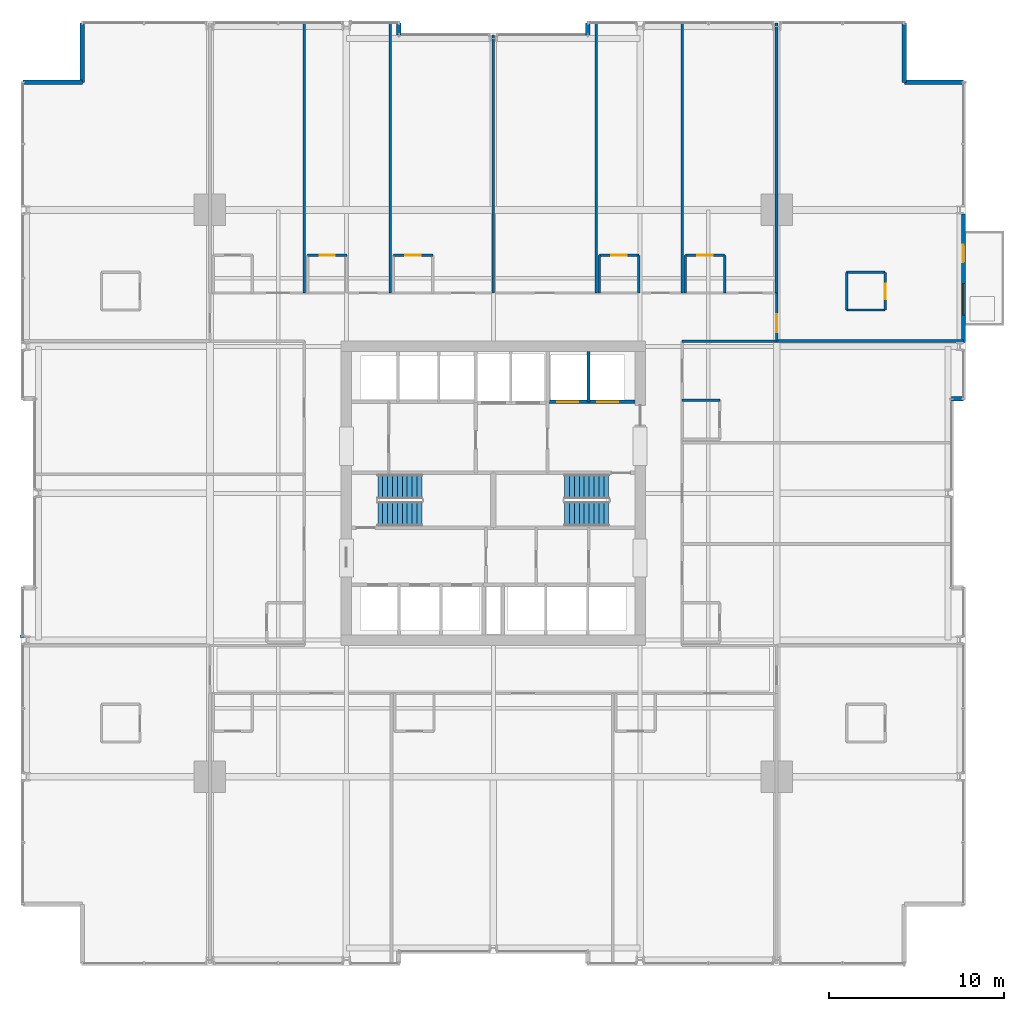
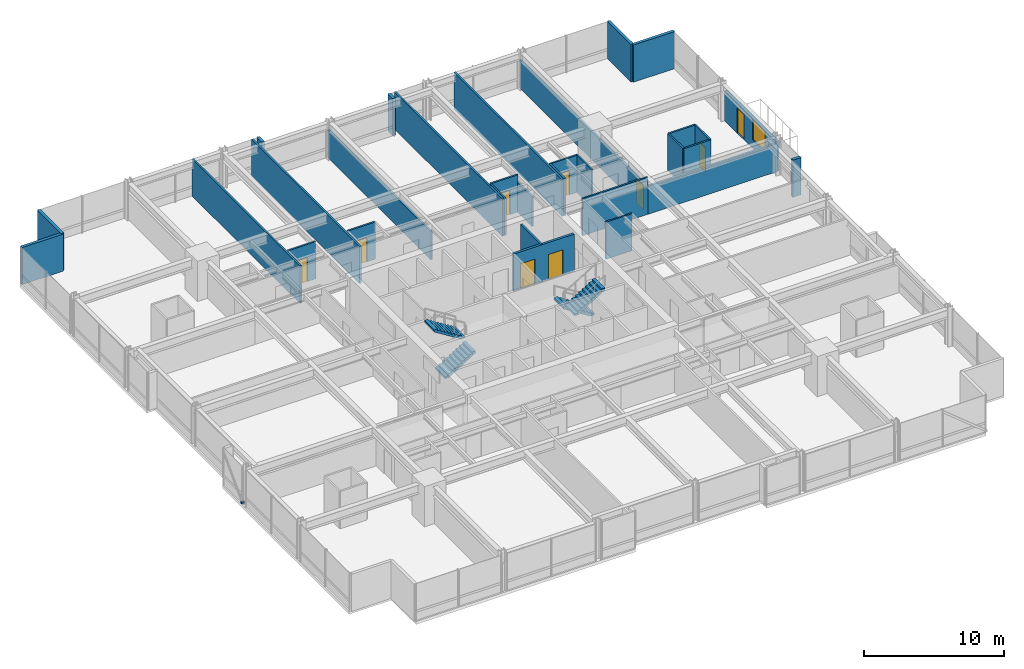
# One storey, part 33 of 38: 32 walls, 9 doors, 4 stair flights, 1 discrete accessory, 1 window, 10 openings, 2 elements without a shape of their own.
"""IFC4 building model written with IfcOpenShell, lengths in metres."""

from ifc_helpers import new_model, si_unit, direction, frame, frame_2d, origin, origin_2d, place, context, subcontext, project, spatial, polyline, rectangle, outline, extrude, material, layer, layer_set, type_object, element, fill, aggregate, save


model = new_model("IFC4")

# Units and contexts
model_context = context("Model", 3, precision=1e-05, world=origin(), true_north=direction((0.0, 1.0)))
body_context = subcontext(model_context, "Body", "Model", "MODEL_VIEW")
ifc_project = project(units=[si_unit("LENGTHUNIT", "METRE"), si_unit("AREAUNIT", "SQUARE_METRE"), si_unit("VOLUMEUNIT", "CUBIC_METRE"), si_unit("PLANEANGLEUNIT", "RADIAN"), si_unit("MASSUNIT", "GRAM", prefix="KILO")], contexts=[model_context])

# Site, building, storey
site_placement = place(None, origin())
site = spatial("IfcSite", under=ifc_project, at=site_placement, CompositionType="ELEMENT")
building_placement = place(site_placement, origin())
building = spatial("IfcBuilding", under=site, at=building_placement, Name="Drelvath Grand Hotel", CompositionType="ELEMENT")
storey_placement = place(building_placement, frame((0.0, 0.0, 68.199951171875)))
storey = spatial("IfcBuildingStorey", under=building, at=storey_placement, Name="L16", CompositionType="ELEMENT", Elevation=68.199951171875)

# Wall, openings, doors
ifc_material_1 = material(Name="Concrete C40/50", Category="concrete")
ifc_layer_1 = layer(ifc_material_1, 0.199951171875)
ifc_layer_set_1 = layer_set([ifc_layer_1], Name="Concrete C40/50")
wall_type_1 = type_object("IfcWallType", Name="Core Hoistway Fire Wall 200", PredefinedType="SOLIDWALL", material=ifc_layer_set_1)
wall_1_placement = place(storey_placement, frame((3.10009765625, 32.219970703125, 0.0), z_axis=(0.0, 0.0, 1.0), x_axis=(1.0, 0.0, 0.0)))
wall_1 = element("IfcWall", 1, at=wall_1_placement, inside=storey, type_object=wall_type_1, Name="L16 FSAE Hoistway Front Wall", PredefinedType="SOLIDWALL", context=body_context, shape_type="SweptSolid", body=[
    extrude(rectangle(XDim=5.0, YDim=0.199951171875, at=frame_2d((2.5, 0.0))), origin(), (0.0, 0.0, 1.0), 3.239990234375),
])
opening_1_placement = place(wall_1_placement, frame((0.550048828125, 0.0, 0.0)))
opening_1 = element("IfcOpeningElement", 2, at=opening_1_placement, cuts=wall_1, Name="Opening LD-FSAE-1", PredefinedType="OPENING", context=body_context, shape_type="SweptSolid", body=[
    extrude(rectangle(XDim=1.199951171875, YDim=2.199951171875, at=frame_2d((0.60009765625, 1.10009765625))), frame((0.0, 0.10986328125, 0.0), z_axis=(0.0, -1.0, 0.0), x_axis=(1.0, 0.0, 0.0)), (0.0, 0.0, 1.0), 0.219970703125),
])
opening_2_placement = place(wall_1_placement, frame((2.85009765625, 0.0, 0.0)))
opening_2 = element("IfcOpeningElement", 3, at=opening_2_placement, cuts=wall_1, Name="Opening LD-FSAE-2", PredefinedType="OPENING", context=body_context, shape_type="SweptSolid", body=[
    extrude(rectangle(XDim=1.199951171875, YDim=2.199951171875, at=frame_2d((0.60009765625, 1.10009765625))), frame((0.0, 0.10986328125, 0.0), z_axis=(0.0, -1.0, 0.0), x_axis=(1.0, 0.0, 0.0)), (0.0, 0.0, 1.0), 0.219970703125),
])
ifc_material_2 = material(Name="Stainless Steel S355", Category="steel")
door_type_1 = type_object("IfcDoorType", Name="FSAE Lift Sliding Landing Door 1200x2200", OperationType="NOTDEFINED", PredefinedType="DOOR", material=ifc_material_2)
door_1_placement = place(opening_1_placement, origin())
door_1 = element("IfcDoor", 4, at=door_1_placement, inside=storey, type_object=door_type_1, Name="L16 Lift FSAE-1 Landing Door", OperationType="SLIDING_TO_LEFT", OverallHeight=2.199951171875, OverallWidth=1.199951171875, PredefinedType="DOOR", context=body_context, shape_type="SweptSolid", body=[
    extrude(rectangle(XDim=1.199951171875, YDim=2.199951171875, at=frame_2d((0.60009765625, 1.10009765625))), frame((0.0, 0.02490234375, 0.0), z_axis=(0.0, -1.0, 0.0), x_axis=(1.0, 0.0, 0.0)), (0.0, 0.0, 1.0), 0.050048828125),
])
fill(opening_1, door_1)
door_2_placement = place(opening_2_placement, origin())
door_2 = element("IfcDoor", 5, at=door_2_placement, inside=storey, type_object=door_type_1, Name="L16 Lift FSAE-2 Landing Door", OperationType="SLIDING_TO_LEFT", OverallHeight=2.199951171875, OverallWidth=1.199951171875, PredefinedType="DOOR", context=body_context, shape_type="SweptSolid", body=[
    extrude(rectangle(XDim=1.199951171875, YDim=2.199951171875, at=frame_2d((0.60009765625, 1.10009765625))), frame((0.0, 0.02490234375, 0.0), z_axis=(0.0, -1.0, 0.0), x_axis=(1.0, 0.0, 0.0)), (0.0, 0.0, 1.0), 0.050048828125),
])
fill(opening_2, door_2)

# Walls
ifc_material_3 = material(Name="Gypsum Fireboard Partition")
ifc_layer_2 = layer(ifc_material_3, 0.1650390625)
ifc_layer_set_2 = layer_set([ifc_layer_2], Name="Gypsum Fireboard Partition")
wall_type_2 = type_object("IfcWallType", Name="Core Shaft Partition 165", PredefinedType="PARTITIONING", material=ifc_layer_set_2)
wall_2_placement = place(storey_placement, frame((5.449951171875, 32.219970703125, 0.0), z_axis=(0.0, 0.0, 1.0), x_axis=(0.0, 1.0, 0.0)))
element("IfcWall", 6, at=wall_2_placement, inside=storey, type_object=wall_type_2, Name="L16 FSAE Hoistway Divider", PredefinedType="PARTITIONING", context=body_context, shape_type="SweptSolid", body=[
    extrude(rectangle(XDim=2.880126953125, YDim=0.1650390625, at=frame_2d((1.43994140625, 0.0))), origin(), (0.0, 0.0, 1.0), 3.239990234375),
])
ifc_layer_3 = layer(ifc_material_3, 0.135009765625)
ifc_layer_set_3 = layer_set([ifc_layer_3], Name="Gypsum Fireboard Partition")
wall_type_3 = type_object("IfcWallType", Name="Corridor Fire Barrier Wall 135", PredefinedType="PARTITIONING", material=ifc_layer_set_3)
wall_3_placement = place(storey_placement, frame((10.800048828125, 35.699951171875, 0.0), z_axis=(0.0, 0.0, 1.0), x_axis=(1.0, 0.0, 0.0)))
element("IfcWall", 7, at=wall_3_placement, inside=storey, type_object=wall_type_3, Name="L16 NE Spur Inner Wall", PredefinedType="PARTITIONING", context=body_context, shape_type="SweptSolid", body=[
    extrude(rectangle(XDim=5.39990234375, YDim=0.135009765625, at=frame_2d((2.699951171875, 0.0))), origin(), (0.0, 0.0, 1.0), 3.239990234375),
])

# Wall, opening, door
wall_4_placement = place(storey_placement, frame((16.199951171875, 35.699951171875, 0.0), z_axis=(0.0, 0.0, 1.0), x_axis=(0.0, 1.0, 0.0)))
wall_4 = element("IfcWall", 8, at=wall_4_placement, inside=storey, type_object=wall_type_3, Name="L16 North Corridor East End", PredefinedType="PARTITIONING", context=body_context, shape_type="SweptSolid", body=[
    extrude(rectangle(XDim=2.75, YDim=0.135009765625, at=frame_2d((1.375, 0.0))), origin(), (0.0, 0.0, 1.0), 2.451904296875),
])
opening_3_placement = place(wall_4_placement, frame((0.52001953125, 0.0, 0.0)))
opening_3 = element("IfcOpeningElement", 9, at=opening_3_placement, cuts=wall_4, Name="Opening D-T1G4-025", PredefinedType="OPENING", context=body_context, shape_type="SweptSolid", body=[
    extrude(rectangle(XDim=1.02001953125, YDim=2.14990234375, at=frame_2d((0.510009765625, 1.074951171875))), frame((0.0, 0.077392578125, 0.0), z_axis=(0.0, -1.0, 0.0), x_axis=(1.0, 0.0, 0.0)), (0.0, 0.0, 1.0), 0.155029296875),
])
ifc_material_4 = material(Name="Hardwood Walnut Timber", Category="wood")
door_type_2 = type_object("IfcDoorType", Name="Amenity Meeting Fire Door 1020x2150", OperationType="NOTDEFINED", PredefinedType="DOOR", material=ifc_material_4)
door_3_placement = place(opening_3_placement, origin())
door_3 = element("IfcDoor", 10, at=door_3_placement, inside=storey, type_object=door_type_2, Name="L16 Corner Suite Entry Door", OperationType="SINGLE_SWING_RIGHT", OverallHeight=2.14990234375, OverallWidth=1.02001953125, PredefinedType="DOOR", context=body_context, shape_type="SweptSolid", body=[
    extrude(rectangle(XDim=1.02001953125, YDim=2.14990234375, at=frame_2d((0.510009765625, 1.074951171875))), frame((0.0, 0.02490234375, 0.0), z_axis=(0.0, -1.0, 0.0), x_axis=(1.0, 0.0, 0.0)), (0.0, 0.0, 1.0), 0.050048828125),
])
fill(opening_3, door_3)

# Walls
ifc_material_5 = material(Name="Moisture-Resistant Gypsum Board")
ifc_layer_4 = layer(ifc_material_5, 0.139892578125)
ifc_layer_set_4 = layer_set([ifc_layer_4], Name="Moisture-Resistant Gypsum Board")
wall_type_4 = type_object("IfcWallType", Name="En-Suite Plumbing Wall 140", PredefinedType="PLUMBINGWALL", material=ifc_layer_set_4)
for number, where, z_axis, x_axis, name in (
    (11, (20.199951171875, 37.47998046875, 0.0), (0.0, 0.0, 1.0), (1.0, 0.0, 0.0), "L16 Corner En-Suite South"),
    (12, (20.199951171875, 39.6298828125, 0.0), (0.0, 0.0, 1.0), (1.0, 0.0, 0.0), "L16 Corner En-Suite North"),
):
    element("IfcWall", number, at=place(storey_placement, frame(where, z_axis=z_axis, x_axis=x_axis)), inside=storey, type_object=wall_type_4, Name=name, PredefinedType="PLUMBINGWALL", context=body_context, shape_type="SweptSolid", body=[
        extrude(rectangle(XDim=2.199951171875, YDim=0.139892578125, at=frame_2d((1.10009765625, 0.0))), origin(), (0.0, 0.0, 1.0), 3.239990234375),
    ])
wall_5_placement = place(storey_placement, frame((20.199951171875, 37.47998046875, 0.0), z_axis=(0.0, 0.0, 1.0), x_axis=(0.0, 1.0, 0.0)))
element("IfcWall", 13, at=wall_5_placement, inside=storey, type_object=wall_type_4, Name="L16 Corner En-Suite West", PredefinedType="PLUMBINGWALL", context=body_context, shape_type="SweptSolid", body=[
    extrude(rectangle(XDim=2.14990234375, YDim=0.139892578125, at=frame_2d((1.074951171875, 0.0))), origin(), (0.0, 0.0, 1.0), 3.239990234375),
])

# Wall, opening, door
wall_6_placement = place(storey_placement, frame((22.39990234375, 37.47998046875, 0.0), z_axis=(0.0, 0.0, 1.0), x_axis=(0.0, 1.0, 0.0)))
wall_6 = element("IfcWall", 14, at=wall_6_placement, inside=storey, type_object=wall_type_4, Name="L16 Corner En-Suite East", PredefinedType="PLUMBINGWALL", context=body_context, shape_type="SweptSolid", body=[
    extrude(rectangle(XDim=2.14990234375, YDim=0.139892578125, at=frame_2d((1.074951171875, 0.0))), origin(), (0.0, 0.0, 1.0), 3.239990234375),
])
opening_4_placement = place(wall_6_placement, frame((0.6201171875, 0.0, 0.0)))
opening_4 = element("IfcOpeningElement", 15, at=opening_4_placement, cuts=wall_6, Name="Opening D-T1G4-024", PredefinedType="OPENING", context=body_context, shape_type="SweptSolid", body=[
    extrude(rectangle(XDim=0.8798828125, YDim=2.10009765625, at=frame_2d((0.43994140625, 1.050048828125))), frame((0.0, 0.079833984375, 0.0), z_axis=(0.0, -1.0, 0.0), x_axis=(1.0, 0.0, 0.0)), (0.0, 0.0, 1.0), 0.159912109375),
])
door_type_3 = type_object("IfcDoorType", Name="En-Suite Bathroom Door 880x2100", OperationType="NOTDEFINED", PredefinedType="DOOR", material=ifc_material_4)
door_4_placement = place(opening_4_placement, origin())
door_4 = element("IfcDoor", 16, at=door_4_placement, inside=storey, type_object=door_type_3, Name="L16 Corner En-Suite Door", OperationType="SINGLE_SWING_LEFT", OverallHeight=2.10009765625, OverallWidth=0.8798828125, PredefinedType="DOOR", context=body_context, shape_type="SweptSolid", body=[
    extrude(rectangle(XDim=0.8798828125, YDim=2.10009765625, at=frame_2d((0.43994140625, 1.050048828125))), frame((0.0, 0.02490234375, 0.0), z_axis=(0.0, -1.0, 0.0), x_axis=(1.0, 0.0, 0.0)), (0.0, 0.0, 1.0), 0.050048828125),
])
fill(opening_4, door_4)

wall_7_placement = place(storey_placement, frame((-10.6201171875, 40.60009765625, 0.0), z_axis=(0.0, 0.0, 1.0), x_axis=(1.0, 0.0, 0.0)))
wall_7 = element("IfcWall", 17, at=wall_7_placement, inside=storey, type_object=wall_type_4, Name="L16 En-Suite Front Wall", PredefinedType="PLUMBINGWALL", context=body_context, shape_type="SweptSolid", body=[
    extrude(rectangle(XDim=2.25, YDim=0.139892578125, at=frame_2d((1.125, 0.0))), origin(), (0.0, 0.0, 1.0), 3.239990234375),
])
opening_5_placement = place(wall_7_placement, frame((0.68505859375, 0.0, 0.0)))
opening_5 = element("IfcOpeningElement", 18, at=opening_5_placement, cuts=wall_7, Name="Opening D-T1G4-034", PredefinedType="OPENING", context=body_context, shape_type="SweptSolid", body=[
    extrude(rectangle(XDim=0.8798828125, YDim=2.10009765625, at=frame_2d((0.43994140625, 1.050048828125))), frame((0.0, 0.079833984375, 0.0), z_axis=(0.0, -1.0, 0.0), x_axis=(1.0, 0.0, 0.0)), (0.0, 0.0, 1.0), 0.159912109375),
])
door_5_placement = place(opening_5_placement, origin())
door_5 = element("IfcDoor", 19, at=door_5_placement, inside=storey, type_object=door_type_3, Name="L16 En-Suite Bathroom Door", OperationType="SINGLE_SWING_LEFT", OverallHeight=2.10009765625, OverallWidth=0.8798828125, PredefinedType="DOOR", context=body_context, shape_type="SweptSolid", body=[
    extrude(rectangle(XDim=0.8798828125, YDim=2.10009765625, at=frame_2d((0.43994140625, 1.050048828125))), frame((0.0, 0.02490234375, 0.0), z_axis=(0.0, -1.0, 0.0), x_axis=(1.0, 0.0, 0.0)), (0.0, 0.0, 1.0), 0.050048828125),
])
fill(opening_5, door_5)

wall_8_placement = place(storey_placement, frame((-5.7109375, 40.60009765625, 0.0), z_axis=(0.0, 0.0, 1.0), x_axis=(1.0, 0.0, 0.0)))
wall_8 = element("IfcWall", 20, at=wall_8_placement, inside=storey, type_object=wall_type_4, Name="L16 En-Suite Front Wall", PredefinedType="PLUMBINGWALL", context=body_context, shape_type="SweptSolid", body=[
    extrude(rectangle(XDim=2.25, YDim=0.139892578125, at=frame_2d((1.125, 0.0))), origin(), (0.0, 0.0, 1.0), 3.239990234375),
])
opening_6_placement = place(wall_8_placement, frame((0.68505859375, 0.0, 0.0)))
opening_6 = element("IfcOpeningElement", 21, at=opening_6_placement, cuts=wall_8, Name="Opening D-T1G4-036", PredefinedType="OPENING", context=body_context, shape_type="SweptSolid", body=[
    extrude(rectangle(XDim=0.8798828125, YDim=2.10009765625, at=frame_2d((0.43994140625, 1.050048828125))), frame((0.0, 0.079833984375, 0.0), z_axis=(0.0, -1.0, 0.0), x_axis=(1.0, 0.0, 0.0)), (0.0, 0.0, 1.0), 0.159912109375),
])
door_6_placement = place(opening_6_placement, origin())
door_6 = element("IfcDoor", 22, at=door_6_placement, inside=storey, type_object=door_type_3, Name="L16 En-Suite Bathroom Door", OperationType="SINGLE_SWING_LEFT", OverallHeight=2.10009765625, OverallWidth=0.8798828125, PredefinedType="DOOR", context=body_context, shape_type="SweptSolid", body=[
    extrude(rectangle(XDim=0.8798828125, YDim=2.10009765625, at=frame_2d((0.43994140625, 1.050048828125))), frame((0.0, 0.02490234375, 0.0), z_axis=(0.0, -1.0, 0.0), x_axis=(1.0, 0.0, 0.0)), (0.0, 0.0, 1.0), 0.050048828125),
])
fill(opening_6, door_6)

# Walls
wall_9_placement = place(storey_placement, frame((6.07080078125, 38.449951171875, 0.0), z_axis=(0.0, 0.0, 1.0), x_axis=(0.0, 1.0, 0.0)))
element("IfcWall", 23, at=wall_9_placement, inside=storey, type_object=wall_type_4, Name="L16 En-Suite Left Wall", PredefinedType="PLUMBINGWALL", context=body_context, shape_type="SweptSolid", body=[
    extrude(rectangle(XDim=2.150146484375, YDim=0.139892578125, at=frame_2d((1.0751953125, 0.0))), origin(), (0.0, 0.0, 1.0), 3.239990234375),
])
wall_10_placement = place(storey_placement, frame((8.32080078125, 38.449951171875, 0.0), z_axis=(0.0, 0.0, 1.0), x_axis=(0.0, 1.0, 0.0)))
element("IfcWall", 24, at=wall_10_placement, inside=storey, type_object=wall_type_4, Name="L16 En-Suite Right Wall", PredefinedType="PLUMBINGWALL", context=body_context, shape_type="SweptSolid", body=[
    extrude(rectangle(XDim=2.150146484375, YDim=0.139892578125, at=frame_2d((1.0751953125, 0.0))), origin(), (0.0, 0.0, 1.0), 2.617431640625),
])

# Wall, opening, door
wall_11_placement = place(storey_placement, frame((6.07080078125, 40.60009765625, 0.0), z_axis=(0.0, 0.0, 1.0), x_axis=(1.0, 0.0, 0.0)))
wall_11 = element("IfcWall", 25, at=wall_11_placement, inside=storey, type_object=wall_type_4, Name="L16 En-Suite Front Wall", PredefinedType="PLUMBINGWALL", context=body_context, shape_type="SweptSolid", body=[
    extrude(rectangle(XDim=2.25, YDim=0.139892578125, at=frame_2d((1.125, 0.0))), origin(), (0.0, 0.0, 1.0), 3.239990234375),
])
opening_7_placement = place(wall_11_placement, frame((0.68505859375, 0.0, 0.0)))
opening_7 = element("IfcOpeningElement", 26, at=opening_7_placement, cuts=wall_11, Name="Opening D-T1G4-039", PredefinedType="OPENING", context=body_context, shape_type="SweptSolid", body=[
    extrude(rectangle(XDim=0.8798828125, YDim=2.10009765625, at=frame_2d((0.43994140625, 1.050048828125))), frame((0.0, 0.079833984375, 0.0), z_axis=(0.0, -1.0, 0.0), x_axis=(1.0, 0.0, 0.0)), (0.0, 0.0, 1.0), 0.159912109375),
])
door_7_placement = place(opening_7_placement, origin())
door_7 = element("IfcDoor", 27, at=door_7_placement, inside=storey, type_object=door_type_3, Name="L16 En-Suite Bathroom Door", OperationType="SINGLE_SWING_RIGHT", OverallHeight=2.10009765625, OverallWidth=0.8798828125, PredefinedType="DOOR", context=body_context, shape_type="SweptSolid", body=[
    extrude(rectangle(XDim=0.8798828125, YDim=2.10009765625, at=frame_2d((0.43994140625, 1.050048828125))), frame((0.0, 0.02490234375, 0.0), z_axis=(0.0, -1.0, 0.0), x_axis=(1.0, 0.0, 0.0)), (0.0, 0.0, 1.0), 0.050048828125),
])
fill(opening_7, door_7)

# Walls
for number, where, z_axis, x_axis, name in (
    (28, (10.97998046875, 38.449951171875, 0.0), (0.0, 0.0, 1.0), (0.0, 1.0, 0.0), "L16 En-Suite Left Wall"),
    (29, (13.22998046875, 38.449951171875, 0.0), (0.0, 0.0, 1.0), (0.0, 1.0, 0.0), "L16 En-Suite Right Wall"),
):
    element("IfcWall", number, at=place(storey_placement, frame(where, z_axis=z_axis, x_axis=x_axis)), inside=storey, type_object=wall_type_4, Name=name, PredefinedType="PLUMBINGWALL", context=body_context, shape_type="SweptSolid", body=[
        extrude(rectangle(XDim=2.150146484375, YDim=0.139892578125, at=frame_2d((1.0751953125, 0.0))), origin(), (0.0, 0.0, 1.0), 3.239990234375),
    ])

# Wall, opening, door
wall_12_placement = place(storey_placement, frame((10.97998046875, 40.60009765625, 0.0), z_axis=(0.0, 0.0, 1.0), x_axis=(1.0, 0.0, 0.0)))
wall_12 = element("IfcWall", 30, at=wall_12_placement, inside=storey, type_object=wall_type_4, Name="L16 En-Suite Front Wall", PredefinedType="PLUMBINGWALL", context=body_context, shape_type="SweptSolid", body=[
    extrude(rectangle(XDim=2.25, YDim=0.139892578125, at=frame_2d((1.125, 0.0))), origin(), (0.0, 0.0, 1.0), 3.239990234375),
])
opening_8_placement = place(wall_12_placement, frame((0.68505859375, 0.0, 0.0)))
opening_8 = element("IfcOpeningElement", 31, at=opening_8_placement, cuts=wall_12, Name="Opening D-T1G4-041", PredefinedType="OPENING", context=body_context, shape_type="SweptSolid", body=[
    extrude(rectangle(XDim=0.8798828125, YDim=2.10009765625, at=frame_2d((0.43994140625, 1.050048828125))), frame((0.0, 0.079833984375, 0.0), z_axis=(0.0, -1.0, 0.0), x_axis=(1.0, 0.0, 0.0)), (0.0, 0.0, 1.0), 0.159912109375),
])
door_8_placement = place(opening_8_placement, origin())
door_8 = element("IfcDoor", 32, at=door_8_placement, inside=storey, type_object=door_type_3, Name="L16 En-Suite Bathroom Door", OperationType="SINGLE_SWING_RIGHT", OverallHeight=2.10009765625, OverallWidth=0.8798828125, PredefinedType="DOOR", context=body_context, shape_type="SweptSolid", body=[
    extrude(rectangle(XDim=0.8798828125, YDim=2.10009765625, at=frame_2d((0.43994140625, 1.050048828125))), frame((0.0, 0.02490234375, 0.0), z_axis=(0.0, -1.0, 0.0), x_axis=(1.0, 0.0, 0.0)), (0.0, 0.0, 1.0), 0.050048828125),
])
fill(opening_8, door_8)

# Walls
wall_13_placement = place(storey_placement, frame((10.800048828125, 32.330078125, 0.0), z_axis=(0.0, 0.0, 1.0), x_axis=(1.0, 0.0, 0.0)))
element("IfcWall", 33, at=wall_13_placement, inside=storey, type_object=wall_type_4, Name="L16 En-Suite Right Wall", PredefinedType="PLUMBINGWALL", context=body_context, shape_type="SweptSolid", body=[
    extrude(rectangle(XDim=2.14990234375, YDim=0.139892578125, at=frame_2d((1.074951171875, 0.0))), origin(), (0.0, 0.0, 1.0), 3.239990234375),
])
ifc_material_6 = material(Name="Gypsum Acoustic Partition")
ifc_layer_5 = layer(ifc_material_6, 0.14990234375)
ifc_layer_set_5 = layer_set([ifc_layer_5], Name="Gypsum Acoustic Partition")
wall_type_5 = type_object("IfcWallType", Name="Guestroom Demising Wall 150", PredefinedType="PARTITIONING", material=ifc_layer_set_5)
for number, where, z_axis, x_axis, name in (
    (34, (-10.800048828125, 38.449951171875, 0.0), (0.0, 0.0, 1.0), (0.0, 1.0, 0.0), "L16 North Demising 1"),
    (35, (-5.890869140625, 38.449951171875, 0.0), (0.0, 0.0, 1.0), (0.0, 1.0, 0.0), "L16 North Demising 2"),
):
    element("IfcWall", number, at=place(storey_placement, frame(where, z_axis=z_axis, x_axis=x_axis)), inside=storey, type_object=wall_type_5, Name=name, PredefinedType="PARTITIONING", context=body_context, shape_type="SweptSolid", body=[
        extrude(rectangle(XDim=15.429931640625, YDim=0.14990234375, at=frame_2d((7.71484375, 0.0))), origin(), (0.0, 0.0, 1.0), 3.239990234375),
    ])
wall_14_placement = place(storey_placement, frame((0.0, 38.449951171875, 0.0), z_axis=(0.0, 0.0, 1.0), x_axis=(0.0, 1.0, 0.0)))
element("IfcWall", 36, at=wall_14_placement, inside=storey, type_object=wall_type_5, Name="L16 North Demising 3", PredefinedType="PARTITIONING", context=body_context, shape_type="SweptSolid", body=[
    extrude(rectangle(XDim=14.75, YDim=0.14990234375, at=frame_2d((7.375, 0.0))), origin(), (0.0, 0.0, 1.0), 2.451904296875),
])
for number, where, z_axis, x_axis, name in (
    (37, (5.890869140625, 38.449951171875, 0.0), (0.0, 0.0, 1.0), (0.0, 1.0, 0.0), "L16 North Demising 4"),
    (38, (10.800048828125, 38.449951171875, 0.0), (0.0, 0.0, 1.0), (0.0, 1.0, 0.0), "L16 North Demising 5"),
):
    element("IfcWall", number, at=place(storey_placement, frame(where, z_axis=z_axis, x_axis=x_axis)), inside=storey, type_object=wall_type_5, Name=name, PredefinedType="PARTITIONING", context=body_context, shape_type="SweptSolid", body=[
        extrude(rectangle(XDim=15.429931640625, YDim=0.14990234375, at=frame_2d((7.71484375, 0.0))), origin(), (0.0, 0.0, 1.0), 3.239990234375),
    ])
ifc_layer_6 = layer(ifc_material_6, 0.1650390625)
ifc_layer_set_6 = layer_set([ifc_layer_6], Name="Gypsum Acoustic Partition")
wall_type_6 = type_object("IfcWallType", Name="Suite Demising Wall 165", PredefinedType="PARTITIONING", material=ifc_layer_set_6)
wall_15_placement = place(storey_placement, frame((16.199951171875, 38.449951171875, 0.0), z_axis=(0.0, 0.0, 1.0), x_axis=(0.0, 1.0, 0.0)))
element("IfcWall", 39, at=wall_15_placement, inside=storey, type_object=wall_type_6, Name="L16 NE Wing Boundary Wall", PredefinedType="PARTITIONING", context=body_context, shape_type="SweptSolid", body=[
    extrude(rectangle(XDim=15.429931640625, YDim=0.1650390625, at=frame_2d((7.71484375, 0.0))), origin(), (0.0, 0.0, 1.0), 2.451904296875),
])
wall_16_placement = place(storey_placement, frame((16.199951171875, 35.699951171875, 0.0), z_axis=(0.0, 0.0, 1.0), x_axis=(1.0, 0.0, 0.0)))
element("IfcWall", 40, at=wall_16_placement, inside=storey, type_object=wall_type_6, Name="L16 NE Corner South Wall", PredefinedType="PARTITIONING", context=body_context, shape_type="SweptSolid", body=[
    extrude(rectangle(XDim=10.679931640625, YDim=0.1650390625, at=frame_2d((5.33984375, 0.0))), origin(), (0.0, 0.0, 1.0), 2.451904296875),
])

# Wall, openings, window, door
ifc_material_7 = material(Name="Pale-Metal Insulated Aluminium Spandrel Assembly", Category="aluminium")
ifc_layer_7 = layer(ifc_material_7, 0.239990234375)
ifc_layer_set_7 = layer_set([ifc_layer_7], Name="Pale-Metal Insulated Aluminium Spandrel Assembly")
wall_type_7 = type_object("IfcWallType", Name="Tower Insulated Metal Spandrel Closure Wall 240", PredefinedType="STANDARD", material=ifc_layer_set_7)
wall_17_placement = place(storey_placement, frame((26.8798828125, 42.970947265625, 0.0), z_axis=(0.0, 0.0, 1.0), x_axis=(0.0, -1.0, 0.0)))
wall_17 = element("IfcWall", 41, at=wall_17_placement, inside=storey, type_object=wall_type_7, Name="L16 Exterior Terrace Door Bay Wall EN2", PredefinedType="STANDARD", context=body_context, shape_type="SweptSolid", body=[
    extrude(rectangle(XDim=7.341796875, YDim=0.239990234375, at=frame_2d((3.6708984375, 0.0))), origin(), (0.0, 0.0, 1.0), 2.629150390625),
])
opening_9_placement = place(wall_17_placement, frame((1.77099609375, 0.0, 0.0)))
opening_9 = element("IfcOpeningElement", 42, at=opening_9_placement, cuts=wall_17, Name="Opening TD-1000", PredefinedType="OPENING", context=body_context, shape_type="SweptSolid", body=[
    extrude(rectangle(XDim=1.0, YDim=2.199951171875, at=frame_2d((0.5, 1.10009765625))), frame((0.0, 0.1298828125, 0.0), z_axis=(0.0, -1.0, 0.0), x_axis=(1.0, 0.0, 0.0)), (0.0, 0.0, 1.0), 0.260009765625),
])
opening_10_placement = place(wall_17_placement, frame((3.98291015625, 0.0, 0.75)))
opening_10 = element("IfcOpeningElement", 43, at=opening_10_placement, cuts=wall_17, Name="Opening W-02", PredefinedType="OPENING", context=body_context, shape_type="SweptSolid", body=[
    extrude(rectangle(XDim=1.800048828125, YDim=1.779052734375, at=frame_2d((0.89990234375, 0.8896484375))), frame((0.0, 0.1298828125, 0.0), z_axis=(0.0, -1.0, 0.0), x_axis=(1.0, 0.0, 0.0)), (0.0, 0.0, 1.0), 0.260009765625),
])
ifc_material_8 = material(Name="Bronze Anodised Low-E Triple Glazing", Category="glass")
window_type = type_object("IfcWindowType", Name="Chicago Double-Pane Podium Window 1800x2400", PartitioningType="DOUBLE_PANEL_VERTICAL", PredefinedType="WINDOW", material=ifc_material_8)
window_placement = place(opening_10_placement, origin())
window = element("IfcWindow", 44, at=window_placement, inside=storey, type_object=window_type, Name="L16 Terrace Bay Companion Window EN2", OverallHeight=1.779052734375, OverallWidth=1.800048828125, PartitioningType="SINGLE_PANEL", PredefinedType="WINDOW", context=body_context, shape_type="SweptSolid", body=[
    extrude(rectangle(XDim=1.800048828125, YDim=1.779052734375, at=frame_2d((0.89990234375, 0.8896484375))), frame((0.0, 0.030029296875, 0.0), z_axis=(0.0, -1.0, 0.0), x_axis=(1.0, 0.0, 0.0)), (0.0, 0.0, 1.0), 0.06005859375),
])
fill(opening_10, window)
ifc_material_9 = material(Name="Anodised Aluminium Thermally Broken Glazed Door", Category="aluminium")
door_type_4 = type_object("IfcDoorType", Name="Terrace and Tree Balcony Glazed Door 1000x2200", OperationType="NOTDEFINED", PredefinedType="DOOR", material=ifc_material_9)
door_9_placement = place(opening_9_placement, origin())
door_9 = element("IfcDoor", 45, at=door_9_placement, inside=storey, type_object=door_type_4, Name="L16 Tree Balcony Door DOOR-L16-TBAL-1", OperationType="SINGLE_SWING_LEFT", OverallHeight=2.199951171875, OverallWidth=1.0, PredefinedType="DOOR", context=body_context, shape_type="SweptSolid", body=[
    extrude(rectangle(XDim=1.0, YDim=2.199951171875, at=frame_2d((0.5, 1.10009765625))), frame((0.0, 0.02490234375, 0.0), z_axis=(0.0, -1.0, 0.0), x_axis=(1.0, 0.0, 0.0)), (0.0, 0.0, 1.0), 0.050048828125),
])
fill(opening_9, door_9)

# Walls
for number, where, z_axis, x_axis, name in (
    (46, (-26.8798828125, 50.5, 0.0), (0.0, 0.0, 1.0), (1.0, 0.0, 0.0), "L16 Notched Corner Return Spandrel Wall CNW1"),
    (47, (-23.5, 50.5, 0.0), (0.0, 0.0, 1.0), (0.0, 1.0, 0.0), "L16 Notched Corner Return Spandrel Wall CNW2"),
    (48, (23.5, 53.8798828125, 0.0), (0.0, 0.0, 1.0), (0.0, -1.0, 0.0), "L16 Notched Corner Return Spandrel Wall CNE1"),
    (49, (23.5, 50.5, 0.0), (0.0, 0.0, 1.0), (1.0, 0.0, 0.0), "L16 Notched Corner Return Spandrel Wall CNE2"),
):
    element("IfcWall", number, at=place(storey_placement, frame(where, z_axis=z_axis, x_axis=x_axis)), inside=storey, type_object=wall_type_7, Name=name, PredefinedType="STANDARD", context=body_context, shape_type="SweptSolid", body=[
        extrude(rectangle(XDim=3.3798828125, YDim=0.239990234375, at=frame_2d((1.68994140625, 0.0))), origin(), (0.0, 0.0, 1.0), 3.239990234375),
    ])
for number, where, z_axis, x_axis, name in (
    (50, (26.8798828125, 32.39990234375, 0.0), (0.0, 0.0, 1.0), (-1.0, 0.0, 0.0), "L16 Notched Corner Return Spandrel Wall RE1"),
    (51, (-5.39990234375, 53.8798828125, 0.0), (0.0, 0.0, 1.0), (0.0, -1.0, 0.0), "L16 Notched Corner Return Spandrel Wall RN1"),
    (52, (5.39990234375, 53.199951171875, 0.0), (0.0, 0.0, 1.0), (0.0, 1.0, 0.0), "L16 Notched Corner Return Spandrel Wall RN2"),
):
    element("IfcWall", number, at=place(storey_placement, frame(where, z_axis=z_axis, x_axis=x_axis)), inside=storey, type_object=wall_type_7, Name=name, PredefinedType="STANDARD", context=body_context, shape_type="SweptSolid", body=[
        extrude(rectangle(XDim=0.679931640625, YDim=0.239990234375, at=frame_2d((0.33984375, 0.0))), origin(), (0.0, 0.0, 1.0), 3.239990234375),
    ])

# Stair, stair flights
stair_type = type_object("IfcStairType", Name="Dogleg Exit Stair W1400-R175.0", PredefinedType="HALF_TURN_STAIR", material=ifc_material_1)
stair_1_placement = place(storey_placement, origin())
stair_1 = element("IfcStair", 53, at=stair_1_placement, inside=storey, type_object=stair_type, Name="L16 Core Exit Stair ST-1", PredefinedType="HALF_TURN_STAIR")
stair_flight_type = type_object("IfcStairFlightType", Name="Concrete Stair Flight W1400-R175.0", PredefinedType="STRAIGHT", material=ifc_material_1)
stair_flight_1_placement = place(storey_placement, frame((-6.60009765625, 25.820068359375, 0.0), z_axis=(0.0, 0.0, 1.0), x_axis=(1.0, 0.0, 0.0)))
stair_flight_1 = element("IfcStairFlight", 54, at=stair_flight_1_placement, type_object=stair_flight_type, Name="ST-1 flight 1", NumberOfRisers=10, NumberOfTreads=9, PredefinedType="STRAIGHT", RiserHeight=0.175, TreadLength=0.28, context=body_context, shape_type="SweptSolid", body=[
    extrude(outline(polyline([(0.0, 0.0), (0.0, 0.175048828125), (0.280029296875, 0.175048828125), (0.280029296875, 0.35009765625), (0.56005859375, 0.35009765625), (0.56005859375, 0.52490234375), (0.840087890625, 0.52490234375), (0.840087890625, 0.699951171875), (1.1201171875, 0.699951171875), (1.1201171875, 0.875), (1.39990234375, 0.875), (1.39990234375, 1.050048828125), (1.679931640625, 1.050048828125), (1.679931640625, 1.22509765625), (1.9599609375, 1.22509765625), (1.9599609375, 1.39990234375), (2.239990234375, 1.39990234375), (2.239990234375, 1.574951171875), (2.52001953125, 1.574951171875), (2.52001953125, 1.75), (2.52001953125, 1.386474609375), (0.3017578125, 0.0), (0.0, 0.0)])), frame((0.0, 0.699951171875, 0.0), z_axis=(0.0, -1.0, 0.0), x_axis=(1.0, 0.0, 0.0)), (0.0, 0.0, 1.0), 1.39990234375),
])
stair_flight_2_placement = place(storey_placement, frame((-4.080078125, 27.3798828125, 1.75), z_axis=(0.0, 0.0, 1.0), x_axis=(-1.0, 0.0, 0.0)))
stair_flight_2 = element("IfcStairFlight", 55, at=stair_flight_2_placement, type_object=stair_flight_type, Name="ST-1 flight 2", NumberOfRisers=10, NumberOfTreads=9, PredefinedType="STRAIGHT", RiserHeight=0.175, TreadLength=0.28, context=body_context, shape_type="SweptSolid", body=[
    extrude(outline(polyline([(0.0, 0.0), (0.0, 0.175048828125), (0.280029296875, 0.175048828125), (0.280029296875, 0.35009765625), (0.56005859375, 0.35009765625), (0.56005859375, 0.52490234375), (0.840087890625, 0.52490234375), (0.840087890625, 0.699951171875), (1.1201171875, 0.699951171875), (1.1201171875, 0.875), (1.39990234375, 0.875), (1.39990234375, 1.050048828125), (1.679931640625, 1.050048828125), (1.679931640625, 1.22509765625), (1.9599609375, 1.22509765625), (1.9599609375, 1.39990234375), (2.239990234375, 1.39990234375), (2.239990234375, 1.574951171875), (2.52001953125, 1.574951171875), (2.52001953125, 1.75), (2.52001953125, 1.386474609375), (0.3017578125, 0.0), (0.0, 0.0)])), frame((0.0, 0.699951171875, 0.0), z_axis=(0.0, -1.0, 0.0), x_axis=(1.0, 0.0, 0.0)), (0.0, 0.0, 1.0), 1.39990234375),
])
aggregate(stair_1, [stair_flight_1, stair_flight_2])

stair_2_placement = place(storey_placement, origin())
stair_2 = element("IfcStair", 56, at=stair_2_placement, inside=storey, type_object=stair_type, Name="L16 Core Exit Stair ST-2", PredefinedType="HALF_TURN_STAIR")
stair_flight_3_placement = place(storey_placement, frame((6.60009765625, 27.3798828125, 0.0), z_axis=(0.0, 0.0, 1.0), x_axis=(-1.0, 0.0, 0.0)))
stair_flight_3 = element("IfcStairFlight", 57, at=stair_flight_3_placement, type_object=stair_flight_type, Name="ST-2 flight 1", NumberOfRisers=10, NumberOfTreads=9, PredefinedType="STRAIGHT", RiserHeight=0.175, TreadLength=0.28, context=body_context, shape_type="SweptSolid", body=[
    extrude(outline(polyline([(0.0, 0.0), (0.0, 0.175048828125), (0.280029296875, 0.175048828125), (0.280029296875, 0.35009765625), (0.56005859375, 0.35009765625), (0.56005859375, 0.52490234375), (0.840087890625, 0.52490234375), (0.840087890625, 0.699951171875), (1.1201171875, 0.699951171875), (1.1201171875, 0.875), (1.39990234375, 0.875), (1.39990234375, 1.050048828125), (1.679931640625, 1.050048828125), (1.679931640625, 1.22509765625), (1.9599609375, 1.22509765625), (1.9599609375, 1.39990234375), (2.239990234375, 1.39990234375), (2.239990234375, 1.574951171875), (2.52001953125, 1.574951171875), (2.52001953125, 1.75), (2.52001953125, 1.386474609375), (0.3017578125, 0.0), (0.0, 0.0)])), frame((0.0, 0.699951171875, 0.0), z_axis=(0.0, -1.0, 0.0), x_axis=(1.0, 0.0, 0.0)), (0.0, 0.0, 1.0), 1.39990234375),
])
stair_flight_4_placement = place(storey_placement, frame((4.080078125, 25.820068359375, 1.75), z_axis=(0.0, 0.0, 1.0), x_axis=(1.0, 0.0, 0.0)))
stair_flight_4 = element("IfcStairFlight", 58, at=stair_flight_4_placement, type_object=stair_flight_type, Name="ST-2 flight 2", NumberOfRisers=10, NumberOfTreads=9, PredefinedType="STRAIGHT", RiserHeight=0.175, TreadLength=0.28, context=body_context, shape_type="SweptSolid", body=[
    extrude(outline(polyline([(0.0, 0.0), (0.0, 0.175048828125), (0.280029296875, 0.175048828125), (0.280029296875, 0.35009765625), (0.56005859375, 0.35009765625), (0.56005859375, 0.52490234375), (0.840087890625, 0.52490234375), (0.840087890625, 0.699951171875), (1.1201171875, 0.699951171875), (1.1201171875, 0.875), (1.39990234375, 0.875), (1.39990234375, 1.050048828125), (1.679931640625, 1.050048828125), (1.679931640625, 1.22509765625), (1.9599609375, 1.22509765625), (1.9599609375, 1.39990234375), (2.239990234375, 1.39990234375), (2.239990234375, 1.574951171875), (2.52001953125, 1.574951171875), (2.52001953125, 1.75), (2.52001953125, 1.386474609375), (0.3017578125, 0.0), (0.0, 0.0)])), frame((0.0, 0.699951171875, 0.0), z_axis=(0.0, -1.0, 0.0), x_axis=(1.0, 0.0, 0.0)), (0.0, 0.0, 1.0), 1.39990234375),
])
aggregate(stair_2, [stair_flight_3, stair_flight_4])

# Discrete accessory
ifc_material_10 = material(Name="Stainless Steel Grade 316", Category="steel")
discrete_accessory_type = type_object("IfcDiscreteAccessoryType", Name="Curtain Wall Fin Mounting Bracket Cleat", PredefinedType="BRACKET", material=ifc_material_10)
discrete_accessory_placement = place(storey_placement, frame((-26.93994140625, 18.8291015625, 0.10009765625), z_axis=(0.0, 0.0, 1.0), x_axis=(0.0, 1.0, 0.0)))
element("IfcDiscreteAccessory", 59, at=discrete_accessory_placement, inside=storey, type_object=discrete_accessory_type, Name="L16 Fin Mounting Bracket CW02-L16-WS3-1", PredefinedType="BRACKET", context=body_context, shape_type="SweptSolid", body=[
    extrude(rectangle(XDim=0.159912109375, YDim=0.239990234375, at=origin_2d()), origin(), (0.0, 0.0, 1.0), 0.159912109375),
])

save(model, "model.ifc")
